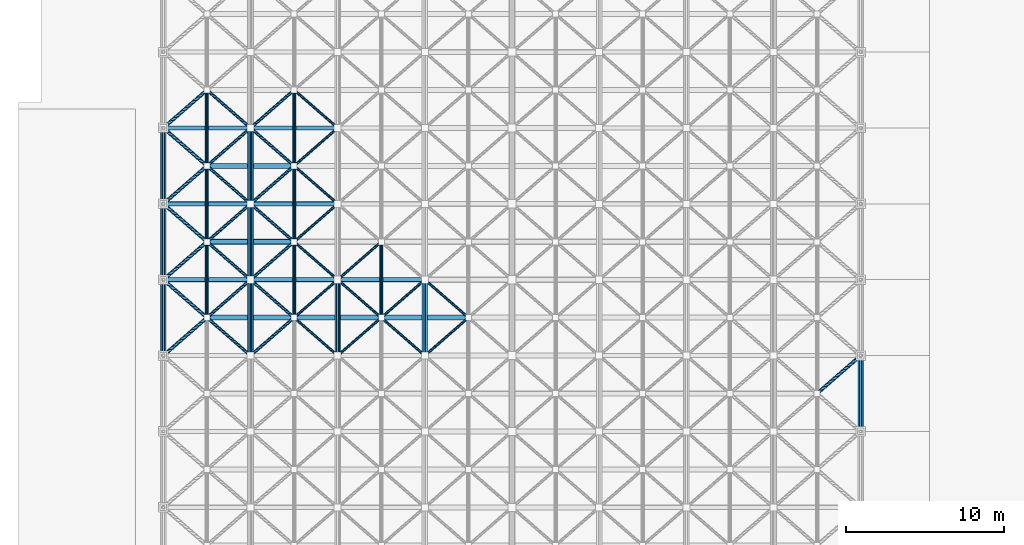
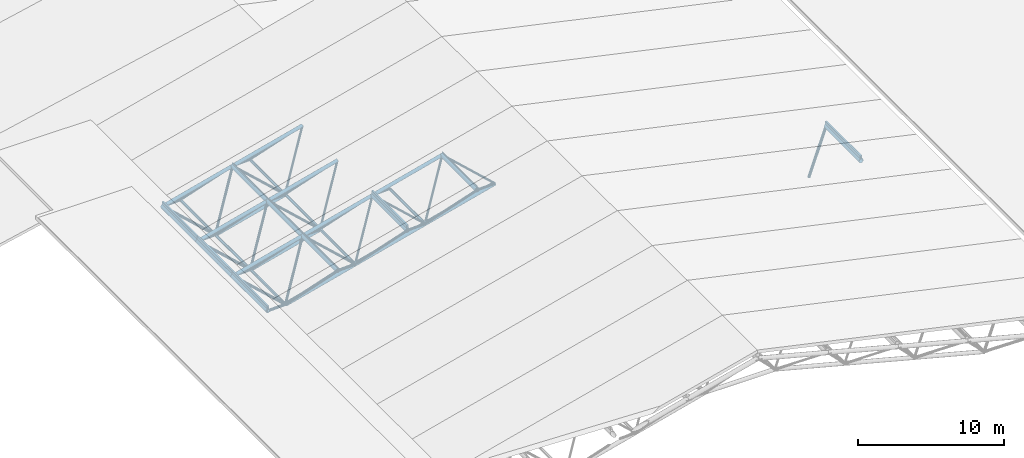
# One storey, part 7 of 60: 73 members.
"""IFC4 building model written with IfcOpenShell, lengths in metres."""

from ifc_helpers import new_model, si_unit, direction, frame, origin, origin_2d, place, context, subcontext, project, spatial, hollow_rectangle, hollow_circle, extrude, material, material_profile, profile_set, type_object, element, save


model = new_model("IFC4")

# Units and contexts
model_context = context("Model", 3, precision=1e-05, world=origin(), true_north=direction((0.0, 1.0)))
body_context = subcontext(model_context, "Body", "Model", "MODEL_VIEW")
ifc_project = project(units=[si_unit("LENGTHUNIT", "METRE"), si_unit("AREAUNIT", "SQUARE_METRE"), si_unit("VOLUMEUNIT", "CUBIC_METRE"), si_unit("PLANEANGLEUNIT", "RADIAN"), si_unit("MASSUNIT", "GRAM", prefix="KILO")], contexts=[model_context])

# Site, building, storey
site_placement = place(None, origin())
site = spatial("IfcSite", under=ifc_project, at=site_placement, CompositionType="ELEMENT")
building_placement = place(site_placement, origin())
building = spatial("IfcBuilding", under=site, at=building_placement, Name="Nakhvara Creek Congress Hotel", CompositionType="ELEMENT")
storey_placement = place(building_placement, frame((0.0, 0.0, 54.60009765625)))
storey = spatial("IfcBuildingStorey", under=building, at=storey_placement, Name="RL1", CompositionType="ELEMENT", Elevation=54.60009765625)

# Members
ifc_material = material(Name="Steel S355J2H", Category="steel")
ifc_material_profile_1 = material_profile(ifc_material, hollow_circle(Radius=0.084228515625, WallThickness=0.010009765625, at=origin_2d()), Name="CHS 168.3x10.0", Category="LoadBearing")
ifc_profile_set_1 = profile_set([ifc_material_profile_1], Name="Steel S355J2H")
member_type_1 = type_object("IfcMemberType", Name="MEM-BRC-CHS168H", PredefinedType="BRACE", material=ifc_profile_set_1)
for number, where, z_axis, x_axis, name in (
    (1, (17.418701171875, 64.800048828125, -35.489990234375), (0.558242106429, -0.486100810301, 0.672362813394), (0.656696195101, 0.754155227616, 0.0), "Congress Space Frame Web Diagonal 0487"),
    (2, (17.418701171875, 64.800048828125, -35.489990234375), (0.558255523915, 0.486063046951, 0.672378973799), (-0.656658200939, 0.754188310132, 0.0), "Congress Space Frame Web Diagonal 0489"),
):
    element("IfcMember", number, at=place(storey_placement, frame(where, z_axis=z_axis, x_axis=x_axis)), inside=storey, type_object=member_type_1, Name=name, PredefinedType="BRACE", context=body_context, shape_type="SweptSolid", body=[
        extrude(hollow_circle(Radius=0.084228515625, WallThickness=0.010009765625, at=origin_2d()), origin(), (0.0, 0.0, 1.0), 4.9375),
    ])
member_1_placement = place(storey_placement, frame((22.93115234375, 64.800048828125, -34.050048828125), z_axis=(-0.670611215194, -0.584000253041, 0.457410431127), x_axis=(0.656729278158, -0.754126418587, 0.0)))
element("IfcMember", 3, at=member_1_placement, inside=storey, type_object=member_type_1, Name="Congress Space Frame Web Diagonal 0492", PredefinedType="BRACE", context=body_context, shape_type="SweptSolid", body=[
    extrude(hollow_circle(Radius=0.084228515625, WallThickness=0.010009765625, at=origin_2d()), origin(), (0.0, 0.0, 1.0), 4.10986328125),
])
member_2_placement = place(storey_placement, frame((22.93115234375, 64.800048828125, -34.050048828125), z_axis=(0.558223547657, -0.486084649868, 0.672389904746), x_axis=(0.656696195101, 0.754155227616, 0.0)))
element("IfcMember", 4, at=member_2_placement, inside=storey, type_object=member_type_1, Name="Congress Space Frame Web Diagonal 0493", PredefinedType="BRACE", context=body_context, shape_type="SweptSolid", body=[
    extrude(hollow_circle(Radius=0.084228515625, WallThickness=0.010009765625, at=origin_2d()), origin(), (0.0, 0.0, 1.0), 4.937744140625),
])
member_3_placement = place(storey_placement, frame((22.93115234375, 64.800048828125, -34.050048828125), z_axis=(-0.670634480014, 0.583961107143, 0.457426299593), x_axis=(-0.656691284984, -0.754159503173, 0.0)))
element("IfcMember", 5, at=member_3_placement, inside=storey, type_object=member_type_1, Name="Congress Space Frame Web Diagonal 0494", PredefinedType="BRACE", context=body_context, shape_type="SweptSolid", body=[
    extrude(hollow_circle(Radius=0.084228515625, WallThickness=0.010009765625, at=origin_2d()), origin(), (0.0, 0.0, 1.0), 4.109619140625),
])
member_4_placement = place(storey_placement, frame((22.93115234375, 64.800048828125, -34.050048828125), z_axis=(0.558236963804, 0.486046886997, 0.672406064728), x_axis=(-0.656658200939, 0.754188310132, 0.0)))
element("IfcMember", 6, at=member_4_placement, inside=storey, type_object=member_type_1, Name="Congress Space Frame Web Diagonal 0495", PredefinedType="BRACE", context=body_context, shape_type="SweptSolid", body=[
    extrude(hollow_circle(Radius=0.084228515625, WallThickness=0.010009765625, at=origin_2d()), origin(), (0.0, 0.0, 1.0), 4.9375),
])
member_5_placement = place(storey_placement, frame((28.44384765625, 64.800048828125, -32.610107421875), z_axis=(-0.670625680367, -0.583961121673, 0.457439181976), x_axis=(0.656696195101, -0.754155227616, 0.0)))
element("IfcMember", 7, at=member_5_placement, inside=storey, type_object=member_type_1, Name="Congress Space Frame Web Diagonal 0498", PredefinedType="BRACE", context=body_context, shape_type="SweptSolid", body=[
    extrude(hollow_circle(Radius=0.084228515625, WallThickness=0.010009765625, at=origin_2d()), origin(), (0.0, 0.0, 1.0), 4.110107421875),
])
member_6_placement = place(storey_placement, frame((28.44384765625, 64.800048828125, -32.610107421875), z_axis=(-0.670648942571, 0.583921975684, 0.457455049313), x_axis=(-0.656658200939, -0.754188310132, 0.0)))
element("IfcMember", 8, at=member_6_placement, inside=storey, type_object=member_type_1, Name="Congress Space Frame Web Diagonal 0500", PredefinedType="BRACE", context=body_context, shape_type="SweptSolid", body=[
    extrude(hollow_circle(Radius=0.084228515625, WallThickness=0.010009765625, at=origin_2d()), origin(), (0.0, 0.0, 1.0), 4.10986328125),
])
for number, where, z_axis, x_axis, name in (
    (9, (17.418701171875, 69.60009765625, -35.489990234375), (0.558242106429, -0.486100810301, 0.672362813394), (0.656696195101, 0.754155227616, 0.0), "Congress Space Frame Web Diagonal 0534"),
    (10, (17.418701171875, 69.60009765625, -35.489990234375), (0.558255523915, 0.486063046951, 0.672378973799), (-0.656658200939, 0.754188310132, 0.0), "Congress Space Frame Web Diagonal 0536"),
):
    element("IfcMember", number, at=place(storey_placement, frame(where, z_axis=z_axis, x_axis=x_axis)), inside=storey, type_object=member_type_1, Name=name, PredefinedType="BRACE", context=body_context, shape_type="SweptSolid", body=[
        extrude(hollow_circle(Radius=0.084228515625, WallThickness=0.010009765625, at=origin_2d()), origin(), (0.0, 0.0, 1.0), 4.9375),
    ])
member_7_placement = place(storey_placement, frame((22.93115234375, 69.60009765625, -34.050048828125), z_axis=(-0.670611215194, -0.584000253041, 0.457410431127), x_axis=(0.656729278158, -0.754126418587, 0.0)))
element("IfcMember", 11, at=member_7_placement, inside=storey, type_object=member_type_1, Name="Congress Space Frame Web Diagonal 0539", PredefinedType="BRACE", context=body_context, shape_type="SweptSolid", body=[
    extrude(hollow_circle(Radius=0.084228515625, WallThickness=0.010009765625, at=origin_2d()), origin(), (0.0, 0.0, 1.0), 4.10986328125),
])
for number, where, z_axis, x_axis, name in (
    (12, (17.418701171875, 74.39990234375, -35.489990234375), (0.558255523915, -0.486063046951, 0.672378973799), (0.656658200939, 0.754188310132, 0.0), "Congress Space Frame Web Diagonal 0581"),
    (13, (17.418701171875, 74.39990234375, -35.489990234375), (0.558242106429, 0.486100810301, 0.672362813394), (-0.656696195101, 0.754155227616, 0.0), "Congress Space Frame Web Diagonal 0583"),
    (14, (17.418701171875, 79.199951171875, -35.489990234375), (0.558255523915, -0.486063046951, 0.672378973799), (0.656658200939, 0.754188310132, 0.0), "Congress Space Frame Web Diagonal 0628"),
):
    element("IfcMember", number, at=place(storey_placement, frame(where, z_axis=z_axis, x_axis=x_axis)), inside=storey, type_object=member_type_1, Name=name, PredefinedType="BRACE", context=body_context, shape_type="SweptSolid", body=[
        extrude(hollow_circle(Radius=0.084228515625, WallThickness=0.010009765625, at=origin_2d()), origin(), (0.0, 0.0, 1.0), 4.9375),
    ])
ifc_material_profile_2 = material_profile(ifc_material, hollow_circle(Radius=0.096923828125, WallThickness=0.010009765625, at=origin_2d()), Name="CHS 193.7x10.0", Category="LoadBearing")
ifc_profile_set_2 = profile_set([ifc_material_profile_2], Name="Steel S355J2H")
member_type_2 = type_object("IfcMemberType", Name="MEM-BRC-CHS193", PredefinedType="BRACE", material=ifc_profile_set_2)
member_8_placement = place(storey_placement, frame((11.90625, 64.800048828125, -36.93017578125), z_axis=(0.558223547657, -0.486084649868, 0.672389904746), x_axis=(0.656696195101, 0.754155227616, 0.0)))
element("IfcMember", 15, at=member_8_placement, inside=storey, type_object=member_type_2, Name="Congress Space Frame Web Diagonal 0481", PredefinedType="BRACE", context=body_context, shape_type="SweptSolid", body=[
    extrude(hollow_circle(Radius=0.096923828125, WallThickness=0.010009765625, at=origin_2d()), origin(), (0.0, 0.0, 1.0), 4.937744140625),
])
member_9_placement = place(storey_placement, frame((11.90625, 64.800048828125, -36.93017578125), z_axis=(0.558236963804, 0.486046886997, 0.672406064728), x_axis=(-0.656658200939, 0.754188310132, 0.0)))
element("IfcMember", 16, at=member_9_placement, inside=storey, type_object=member_type_2, Name="Congress Space Frame Web Diagonal 0483", PredefinedType="BRACE", context=body_context, shape_type="SweptSolid", body=[
    extrude(hollow_circle(Radius=0.096923828125, WallThickness=0.010009765625, at=origin_2d()), origin(), (0.0, 0.0, 1.0), 4.9375),
])
member_10_placement = place(storey_placement, frame((17.418701171875, 64.800048828125, -35.489990234375), z_axis=(-0.670611215194, -0.584000253041, 0.457410431127), x_axis=(0.656729278158, -0.754126418587, 0.0)))
element("IfcMember", 17, at=member_10_placement, inside=storey, type_object=member_type_2, Name="Congress Space Frame Web Diagonal 0486", PredefinedType="BRACE", context=body_context, shape_type="SweptSolid", body=[
    extrude(hollow_circle(Radius=0.096923828125, WallThickness=0.010009765625, at=origin_2d()), origin(), (0.0, 0.0, 1.0), 4.10986328125),
])
member_11_placement = place(storey_placement, frame((17.418701171875, 64.800048828125, -35.489990234375), z_axis=(-0.670634480014, 0.583961107143, 0.457426299593), x_axis=(-0.656691284984, -0.754159503173, 0.0)))
element("IfcMember", 18, at=member_11_placement, inside=storey, type_object=member_type_2, Name="Congress Space Frame Web Diagonal 0488", PredefinedType="BRACE", context=body_context, shape_type="SweptSolid", body=[
    extrude(hollow_circle(Radius=0.096923828125, WallThickness=0.010009765625, at=origin_2d()), origin(), (0.0, 0.0, 1.0), 4.109619140625),
])
member_12_placement = place(storey_placement, frame((11.90625, 69.60009765625, -36.93017578125), z_axis=(0.558223547657, -0.486084649868, 0.672389904746), x_axis=(0.656696195101, 0.754155227616, 0.0)))
element("IfcMember", 19, at=member_12_placement, inside=storey, type_object=member_type_2, Name="Congress Space Frame Web Diagonal 0528", PredefinedType="BRACE", context=body_context, shape_type="SweptSolid", body=[
    extrude(hollow_circle(Radius=0.096923828125, WallThickness=0.010009765625, at=origin_2d()), origin(), (0.0, 0.0, 1.0), 4.937744140625),
])
member_13_placement = place(storey_placement, frame((11.90625, 69.60009765625, -36.93017578125), z_axis=(0.558236963804, 0.486046886997, 0.672406064728), x_axis=(-0.656658200939, 0.754188310132, 0.0)))
element("IfcMember", 20, at=member_13_placement, inside=storey, type_object=member_type_2, Name="Congress Space Frame Web Diagonal 0530", PredefinedType="BRACE", context=body_context, shape_type="SweptSolid", body=[
    extrude(hollow_circle(Radius=0.096923828125, WallThickness=0.010009765625, at=origin_2d()), origin(), (0.0, 0.0, 1.0), 4.9375),
])
member_14_placement = place(storey_placement, frame((17.418701171875, 69.60009765625, -35.489990234375), z_axis=(-0.670611215194, -0.584000253041, 0.457410431127), x_axis=(0.656729278158, -0.754126418587, 0.0)))
element("IfcMember", 21, at=member_14_placement, inside=storey, type_object=member_type_2, Name="Congress Space Frame Web Diagonal 0533", PredefinedType="BRACE", context=body_context, shape_type="SweptSolid", body=[
    extrude(hollow_circle(Radius=0.096923828125, WallThickness=0.010009765625, at=origin_2d()), origin(), (0.0, 0.0, 1.0), 4.10986328125),
])
member_15_placement = place(storey_placement, frame((17.418701171875, 69.60009765625, -35.489990234375), z_axis=(-0.670634480014, 0.583961107143, 0.457426299593), x_axis=(-0.656691284984, -0.754159503173, 0.0)))
element("IfcMember", 22, at=member_15_placement, inside=storey, type_object=member_type_2, Name="Congress Space Frame Web Diagonal 0535", PredefinedType="BRACE", context=body_context, shape_type="SweptSolid", body=[
    extrude(hollow_circle(Radius=0.096923828125, WallThickness=0.010009765625, at=origin_2d()), origin(), (0.0, 0.0, 1.0), 4.109619140625),
])
member_16_placement = place(storey_placement, frame((11.90625, 74.39990234375, -36.93017578125), z_axis=(0.558236963804, -0.486046886997, 0.672406064728), x_axis=(0.656658200939, 0.754188310132, 0.0)))
element("IfcMember", 23, at=member_16_placement, inside=storey, type_object=member_type_2, Name="Congress Space Frame Web Diagonal 0575", PredefinedType="BRACE", context=body_context, shape_type="SweptSolid", body=[
    extrude(hollow_circle(Radius=0.096923828125, WallThickness=0.010009765625, at=origin_2d()), origin(), (0.0, 0.0, 1.0), 4.9375),
])
member_17_placement = place(storey_placement, frame((11.90625, 74.39990234375, -36.93017578125), z_axis=(0.558223547657, 0.486084649868, 0.672389904746), x_axis=(-0.656696195101, 0.754155227616, 0.0)))
element("IfcMember", 24, at=member_17_placement, inside=storey, type_object=member_type_2, Name="Congress Space Frame Web Diagonal 0577", PredefinedType="BRACE", context=body_context, shape_type="SweptSolid", body=[
    extrude(hollow_circle(Radius=0.096923828125, WallThickness=0.010009765625, at=origin_2d()), origin(), (0.0, 0.0, 1.0), 4.937744140625),
])
member_18_placement = place(storey_placement, frame((17.418701171875, 74.39990234375, -35.489990234375), z_axis=(-0.670634480014, -0.583961107143, 0.457426299593), x_axis=(0.656691284984, -0.754159503173, 0.0)))
element("IfcMember", 25, at=member_18_placement, inside=storey, type_object=member_type_2, Name="Congress Space Frame Web Diagonal 0580", PredefinedType="BRACE", context=body_context, shape_type="SweptSolid", body=[
    extrude(hollow_circle(Radius=0.096923828125, WallThickness=0.010009765625, at=origin_2d()), origin(), (0.0, 0.0, 1.0), 4.109619140625),
])
member_19_placement = place(storey_placement, frame((17.418701171875, 74.39990234375, -35.489990234375), z_axis=(-0.670611215194, 0.584000253041, 0.457410431127), x_axis=(-0.656729278158, -0.754126418587, 0.0)))
element("IfcMember", 26, at=member_19_placement, inside=storey, type_object=member_type_2, Name="Congress Space Frame Web Diagonal 0582", PredefinedType="BRACE", context=body_context, shape_type="SweptSolid", body=[
    extrude(hollow_circle(Radius=0.096923828125, WallThickness=0.010009765625, at=origin_2d()), origin(), (0.0, 0.0, 1.0), 4.10986328125),
])
member_20_placement = place(storey_placement, frame((11.90625, 79.199951171875, -36.93017578125), z_axis=(0.558236963804, -0.486046886997, 0.672406064728), x_axis=(0.656658200939, 0.754188310132, 0.0)))
element("IfcMember", 27, at=member_20_placement, inside=storey, type_object=member_type_2, Name="Congress Space Frame Web Diagonal 0622", PredefinedType="BRACE", context=body_context, shape_type="SweptSolid", body=[
    extrude(hollow_circle(Radius=0.096923828125, WallThickness=0.010009765625, at=origin_2d()), origin(), (0.0, 0.0, 1.0), 4.9375),
])
member_21_placement = place(storey_placement, frame((17.418701171875, 79.199951171875, -35.489990234375), z_axis=(-0.670634480014, -0.583961107143, 0.457426299593), x_axis=(0.656691284984, -0.754159503173, 0.0)))
element("IfcMember", 28, at=member_21_placement, inside=storey, type_object=member_type_2, Name="Congress Space Frame Web Diagonal 0627", PredefinedType="BRACE", context=body_context, shape_type="SweptSolid", body=[
    extrude(hollow_circle(Radius=0.096923828125, WallThickness=0.010009765625, at=origin_2d()), origin(), (0.0, 0.0, 1.0), 4.109619140625),
])
ifc_material_profile_3 = material_profile(ifc_material, hollow_circle(Radius=0.109619140625, WallThickness=0.010009765625, at=origin_2d()), Name="CHS 219.1x10.0", Category="LoadBearing")
ifc_profile_set_3 = profile_set([ifc_material_profile_3], Name="Steel S355J2H")
member_type_3 = type_object("IfcMemberType", Name="MEM-BRC-CHS219", PredefinedType="BRACE", material=ifc_profile_set_3)
member_22_placement = place(storey_placement, frame((50.49365234375, 60.0, -36.93017578125), z_axis=(0.670648942571, 0.583921975684, 0.457455049313), x_axis=(-0.656658200939, 0.754188310132, 0.0)))
element("IfcMember", 29, at=member_22_placement, inside=storey, type_object=member_type_3, Name="Congress Space Frame Web Diagonal 0477", PredefinedType="BRACE", context=body_context, shape_type="SweptSolid", body=[
    extrude(hollow_circle(Radius=0.109619140625, WallThickness=0.010009765625, at=origin_2d()), origin(), (0.0, 0.0, 1.0), 4.10986328125),
])
member_23_placement = place(storey_placement, frame((11.90625, 64.800048828125, -36.93017578125), z_axis=(-0.670625680367, -0.583961121673, 0.457439181976), x_axis=(0.656696195101, -0.754155227616, 0.0)))
element("IfcMember", 30, at=member_23_placement, inside=storey, type_object=member_type_3, Name="Congress Space Frame Web Diagonal 0480", PredefinedType="BRACE", context=body_context, shape_type="SweptSolid", body=[
    extrude(hollow_circle(Radius=0.109619140625, WallThickness=0.010009765625, at=origin_2d()), origin(), (0.0, 0.0, 1.0), 4.110107421875),
])
member_24_placement = place(storey_placement, frame((11.90625, 64.800048828125, -36.93017578125), z_axis=(-0.670648942571, 0.583921975684, 0.457455049313), x_axis=(-0.656658200939, -0.754188310132, 0.0)))
element("IfcMember", 31, at=member_24_placement, inside=storey, type_object=member_type_3, Name="Congress Space Frame Web Diagonal 0482", PredefinedType="BRACE", context=body_context, shape_type="SweptSolid", body=[
    extrude(hollow_circle(Radius=0.109619140625, WallThickness=0.010009765625, at=origin_2d()), origin(), (0.0, 0.0, 1.0), 4.10986328125),
])
member_25_placement = place(storey_placement, frame((11.90625, 69.60009765625, -36.93017578125), z_axis=(-0.670625680367, -0.583961121673, 0.457439181976), x_axis=(0.656696195101, -0.754155227616, 0.0)))
element("IfcMember", 32, at=member_25_placement, inside=storey, type_object=member_type_3, Name="Congress Space Frame Web Diagonal 0527", PredefinedType="BRACE", context=body_context, shape_type="SweptSolid", body=[
    extrude(hollow_circle(Radius=0.109619140625, WallThickness=0.010009765625, at=origin_2d()), origin(), (0.0, 0.0, 1.0), 4.110107421875),
])
for number, where, z_axis, x_axis, name in (
    (33, (11.90625, 69.60009765625, -36.93017578125), (-0.670648942571, 0.583921975684, 0.457455049313), (-0.656658200939, -0.754188310132, 0.0), "Congress Space Frame Web Diagonal 0529"),
    (34, (11.90625, 74.39990234375, -36.93017578125), (-0.670648942571, -0.583921975684, 0.457455049313), (0.656658200939, -0.754188310132, 0.0), "Congress Space Frame Web Diagonal 0574"),
):
    element("IfcMember", number, at=place(storey_placement, frame(where, z_axis=z_axis, x_axis=x_axis)), inside=storey, type_object=member_type_3, Name=name, PredefinedType="BRACE", context=body_context, shape_type="SweptSolid", body=[
        extrude(hollow_circle(Radius=0.109619140625, WallThickness=0.010009765625, at=origin_2d()), origin(), (0.0, 0.0, 1.0), 4.10986328125),
    ])
member_26_placement = place(storey_placement, frame((11.90625, 74.39990234375, -36.93017578125), z_axis=(-0.670625680367, 0.583961121673, 0.457439181976), x_axis=(-0.656696195101, -0.754155227616, 0.0)))
element("IfcMember", 35, at=member_26_placement, inside=storey, type_object=member_type_3, Name="Congress Space Frame Web Diagonal 0576", PredefinedType="BRACE", context=body_context, shape_type="SweptSolid", body=[
    extrude(hollow_circle(Radius=0.109619140625, WallThickness=0.010009765625, at=origin_2d()), origin(), (0.0, 0.0, 1.0), 4.110107421875),
])
member_27_placement = place(storey_placement, frame((11.90625, 79.199951171875, -36.93017578125), z_axis=(-0.670648942571, -0.583921975684, 0.457455049313), x_axis=(0.656658200939, -0.754188310132, 0.0)))
element("IfcMember", 36, at=member_27_placement, inside=storey, type_object=member_type_3, Name="Congress Space Frame Web Diagonal 0621", PredefinedType="BRACE", context=body_context, shape_type="SweptSolid", body=[
    extrude(hollow_circle(Radius=0.109619140625, WallThickness=0.010009765625, at=origin_2d()), origin(), (0.0, 0.0, 1.0), 4.10986328125),
])
ifc_material_profile_4 = material_profile(ifc_material, hollow_circle(Radius=0.109619140625, WallThickness=0.012451171875, at=origin_2d()), Name="CHS 219.1x12.5", Category="LoadBearing")
ifc_profile_set_4 = profile_set([ifc_material_profile_4], Name="Steel S355J2H")
member_type_4 = type_object("IfcMemberType", Name="MEM-CHD-CHS219H", PredefinedType="CHORD", material=ifc_profile_set_4)
for number, where, z_axis, x_axis, name in (
    (37, (11.90625, 64.800048828125, -36.93017578125), (0.0, 1.0, 0.0), (-1.0, 0.0, 0.0), "Congress Roof Truss Bottom Tie 0479"),
    (38, (17.418701171875, 64.800048828125, -35.489990234375), (0.0, 1.0, 0.0), (-1.0, 0.0, 0.0), "Congress Roof Truss Bottom Tie 0485"),
    (39, (22.93115234375, 64.800048828125, -34.050048828125), (0.0, 1.0, 0.0), (-1.0, 0.0, 0.0), "Congress Roof Truss Bottom Tie 0491"),
):
    element("IfcMember", number, at=place(storey_placement, frame(where, z_axis=z_axis, x_axis=x_axis)), inside=storey, type_object=member_type_4, Name=name, PredefinedType="CHORD", context=body_context, shape_type="SweptSolid", body=[
        extrude(hollow_circle(Radius=0.109619140625, WallThickness=0.012451171875, at=origin_2d()), origin(), (0.0, 0.0, 1.0), 4.800048828125),
    ])
for number, where, z_axis, x_axis, name in (
    (40, (11.90625, 69.60009765625, -36.93017578125), (0.0, 1.0, 0.0), (-1.0, 0.0, 0.0), "Congress Roof Truss Bottom Tie 0526"),
    (41, (17.418701171875, 69.60009765625, -35.489990234375), (0.0, 1.0, 0.0), (-1.0, 0.0, 0.0), "Congress Roof Truss Bottom Tie 0532"),
):
    element("IfcMember", number, at=place(storey_placement, frame(where, z_axis=z_axis, x_axis=x_axis)), inside=storey, type_object=member_type_4, Name=name, PredefinedType="CHORD", context=body_context, shape_type="SweptSolid", body=[
        extrude(hollow_circle(Radius=0.109619140625, WallThickness=0.012451171875, at=origin_2d()), origin(), (0.0, 0.0, 1.0), 4.7998046875),
    ])
for number, where, z_axis, x_axis, name in (
    (42, (11.90625, 74.39990234375, -36.93017578125), (0.0, 1.0, 0.0), (-1.0, 0.0, 0.0), "Congress Roof Truss Bottom Tie 0573"),
    (43, (17.418701171875, 74.39990234375, -35.489990234375), (0.0, 1.0, 0.0), (-1.0, 0.0, 0.0), "Congress Roof Truss Bottom Tie 0579"),
):
    element("IfcMember", number, at=place(storey_placement, frame(where, z_axis=z_axis, x_axis=x_axis)), inside=storey, type_object=member_type_4, Name=name, PredefinedType="CHORD", context=body_context, shape_type="SweptSolid", body=[
        extrude(hollow_circle(Radius=0.109619140625, WallThickness=0.012451171875, at=origin_2d()), origin(), (0.0, 0.0, 1.0), 4.800048828125),
    ])
ifc_material_profile_5 = material_profile(ifc_material, hollow_circle(Radius=0.136474609375, WallThickness=0.01611328125, at=origin_2d()), Name="CHS 273.0x16.0", Category="LoadBearing")
ifc_profile_set_5 = profile_set([ifc_material_profile_5], Name="Steel S355J2H")
member_type_5 = type_object("IfcMemberType", Name="MEM-CHD-CHS273H", PredefinedType="CHORD", material=ifc_profile_set_5)
member_28_placement = place(storey_placement, frame((9.14990234375, 67.199951171875, -35.050048828125), z_axis=(0.967538048321, 0.0, 0.252725394553), x_axis=(0.0, 1.0, 0.0)))
element("IfcMember", 44, at=member_28_placement, inside=storey, type_object=member_type_5, Name="Congress Space Frame Top Chord 0120", PredefinedType="CHORD", context=body_context, shape_type="SweptSolid", body=[
    extrude(hollow_circle(Radius=0.136474609375, WallThickness=0.01611328125, at=origin_2d()), origin(), (0.0, 0.0, 1.0), 5.69775390625),
])
for number, where, z_axis, x_axis, name in (
    (45, (14.66259765625, 67.199951171875, -33.610107421875), (0.967535311358, 0.0, 0.252735872554), (0.0, 1.0, 0.0), "Congress Space Frame Top Chord 0122"),
    (46, (20.175048828125, 67.199951171875, -32.170166015625), (0.967524832219, 0.0, 0.252775985883), (0.0, 1.0, 0.0), "Congress Space Frame Top Chord 0124"),
):
    element("IfcMember", number, at=place(storey_placement, frame(where, z_axis=z_axis, x_axis=x_axis)), inside=storey, type_object=member_type_5, Name=name, PredefinedType="CHORD", context=body_context, shape_type="SweptSolid", body=[
        extrude(hollow_circle(Radius=0.136474609375, WallThickness=0.01611328125, at=origin_2d()), origin(), (0.0, 0.0, 1.0), 5.697509765625),
    ])
member_29_placement = place(storey_placement, frame((9.14990234375, 72.0, -35.050048828125), z_axis=(0.967538048321, 0.0, 0.252725394553), x_axis=(0.0, 1.0, 0.0)))
element("IfcMember", 47, at=member_29_placement, inside=storey, type_object=member_type_5, Name="Congress Space Frame Top Chord 0137", PredefinedType="CHORD", context=body_context, shape_type="SweptSolid", body=[
    extrude(hollow_circle(Radius=0.136474609375, WallThickness=0.01611328125, at=origin_2d()), origin(), (0.0, 0.0, 1.0), 5.69775390625),
])
member_30_placement = place(storey_placement, frame((14.66259765625, 72.0, -33.610107421875), z_axis=(0.967535311358, 0.0, 0.252735872554), x_axis=(0.0, 1.0, 0.0)))
element("IfcMember", 48, at=member_30_placement, inside=storey, type_object=member_type_5, Name="Congress Space Frame Top Chord 0139", PredefinedType="CHORD", context=body_context, shape_type="SweptSolid", body=[
    extrude(hollow_circle(Radius=0.136474609375, WallThickness=0.01611328125, at=origin_2d()), origin(), (0.0, 0.0, 1.0), 5.697509765625),
])
member_31_placement = place(storey_placement, frame((9.14990234375, 76.800048828125, -35.050048828125), z_axis=(0.967538048321, 0.0, 0.252725394553), x_axis=(0.0, 1.0, 0.0)))
element("IfcMember", 49, at=member_31_placement, inside=storey, type_object=member_type_5, Name="Congress Space Frame Top Chord 0154", PredefinedType="CHORD", context=body_context, shape_type="SweptSolid", body=[
    extrude(hollow_circle(Radius=0.136474609375, WallThickness=0.01611328125, at=origin_2d()), origin(), (0.0, 0.0, 1.0), 5.69775390625),
])
member_32_placement = place(storey_placement, frame((14.66259765625, 76.800048828125, -33.610107421875), z_axis=(0.967535311358, 0.0, 0.252735872554), x_axis=(0.0, 1.0, 0.0)))
element("IfcMember", 50, at=member_32_placement, inside=storey, type_object=member_type_5, Name="Congress Space Frame Top Chord 0156", PredefinedType="CHORD", context=body_context, shape_type="SweptSolid", body=[
    extrude(hollow_circle(Radius=0.136474609375, WallThickness=0.01611328125, at=origin_2d()), origin(), (0.0, 0.0, 1.0), 5.697509765625),
])
ifc_material_profile_6 = material_profile(ifc_material, hollow_circle(Radius=0.161865234375, WallThickness=0.012451171875, at=origin_2d()), Name="CHS 323.9x12.5", Category="LoadBearing")
ifc_profile_set_6 = profile_set([ifc_material_profile_6], Name="Steel S355J2H")
member_type_6 = type_object("IfcMemberType", Name="MEM-CHD-CHS324", PredefinedType="CHORD", material=ifc_profile_set_6)
for number, where, z_axis, x_axis, name in (
    (51, (11.90625, 64.800048828125, -36.93017578125), (0.967524832219, 0.0, 0.252775985883), (0.0, 1.0, 0.0), "Congress Space Frame Bottom Chord 0478"),
    (52, (17.418701171875, 64.800048828125, -35.489990234375), (0.967535311358, 0.0, 0.252735872554), (0.0, 1.0, 0.0), "Congress Space Frame Bottom Chord 0484"),
):
    element("IfcMember", number, at=place(storey_placement, frame(where, z_axis=z_axis, x_axis=x_axis)), inside=storey, type_object=member_type_6, Name=name, PredefinedType="CHORD", context=body_context, shape_type="SweptSolid", body=[
        extrude(hollow_circle(Radius=0.161865234375, WallThickness=0.012451171875, at=origin_2d()), origin(), (0.0, 0.0, 1.0), 5.697509765625),
    ])
member_33_placement = place(storey_placement, frame((22.93115234375, 64.800048828125, -34.050048828125), z_axis=(0.967538048321, 0.0, 0.252725394553), x_axis=(0.0, 1.0, 0.0)))
element("IfcMember", 53, at=member_33_placement, inside=storey, type_object=member_type_6, Name="Congress Space Frame Bottom Chord 0490", PredefinedType="CHORD", context=body_context, shape_type="SweptSolid", body=[
    extrude(hollow_circle(Radius=0.161865234375, WallThickness=0.012451171875, at=origin_2d()), origin(), (0.0, 0.0, 1.0), 5.69775390625),
])
for number, where, z_axis, x_axis, name in (
    (54, (11.90625, 69.60009765625, -36.93017578125), (0.967524832219, 0.0, 0.252775985883), (0.0, 1.0, 0.0), "Congress Space Frame Bottom Chord 0525"),
    (55, (11.90625, 74.39990234375, -36.93017578125), (0.967524832219, 0.0, 0.252775985883), (0.0, 1.0, 0.0), "Congress Space Frame Bottom Chord 0572"),
):
    element("IfcMember", number, at=place(storey_placement, frame(where, z_axis=z_axis, x_axis=x_axis)), inside=storey, type_object=member_type_6, Name=name, PredefinedType="CHORD", context=body_context, shape_type="SweptSolid", body=[
        extrude(hollow_circle(Radius=0.161865234375, WallThickness=0.012451171875, at=origin_2d()), origin(), (0.0, 0.0, 1.0), 5.697509765625),
    ])
ifc_material_profile_7 = material_profile(ifc_material, hollow_circle(Radius=0.177734375, WallThickness=0.01611328125, at=origin_2d()), Name="CHS 355.6x16.0", Category="LoadBearing")
ifc_profile_set_7 = profile_set([ifc_material_profile_7], Name="Steel S355J2H")
member_type_7 = type_object("IfcMemberType", Name="MEM-CHD-CHS355", PredefinedType="CHORD", material=ifc_profile_set_7)
member_34_placement = place(storey_placement, frame((53.25, 57.60009765625, -35.050048828125), z_axis=(0.0, 1.0, 0.0), x_axis=(-1.0, 0.0, 0.0)))
element("IfcMember", 56, at=member_34_placement, inside=storey, type_object=member_type_7, Name="Congress Roof Truss Longitudinal Chord 0102", PredefinedType="CHORD", context=body_context, shape_type="SweptSolid", body=[
    extrude(hollow_circle(Radius=0.177734375, WallThickness=0.01611328125, at=origin_2d()), origin(), (0.0, 0.0, 1.0), 4.7998046875),
])
for number, where, z_axis, x_axis, name in (
    (57, (9.14990234375, 62.39990234375, -35.050048828125), (0.0, 1.0, 0.0), (-1.0, 0.0, 0.0), "Congress Roof Truss Longitudinal Chord 0104"),
    (58, (14.66259765625, 62.39990234375, -33.610107421875), (0.0, 1.0, 0.0), (-1.0, 0.0, 0.0), "Congress Roof Truss Longitudinal Chord 0106"),
    (59, (20.175048828125, 62.39990234375, -32.170166015625), (0.0, 1.0, 0.0), (-1.0, 0.0, 0.0), "Congress Roof Truss Longitudinal Chord 0108"),
    (60, (25.6875, 62.39990234375, -30.72998046875), (0.0, 1.0, 0.0), (-1.0, 0.0, 0.0), "Congress Roof Truss Longitudinal Chord 0110"),
    (61, (9.14990234375, 67.199951171875, -35.050048828125), (0.0, 1.0, 0.0), (-1.0, 0.0, 0.0), "Congress Roof Truss Longitudinal Chord 0121"),
    (62, (14.66259765625, 67.199951171875, -33.610107421875), (0.0, 1.0, 0.0), (-1.0, 0.0, 0.0), "Congress Roof Truss Longitudinal Chord 0123"),
    (63, (9.14990234375, 72.0, -35.050048828125), (0.0, 1.0, 0.0), (-1.0, 0.0, 0.0), "Congress Roof Truss Longitudinal Chord 0138"),
    (64, (14.66259765625, 72.0, -33.610107421875), (0.0, 1.0, 0.0), (-1.0, 0.0, 0.0), "Congress Roof Truss Longitudinal Chord 0140"),
):
    element("IfcMember", number, at=place(storey_placement, frame(where, z_axis=z_axis, x_axis=x_axis)), inside=storey, type_object=member_type_7, Name=name, PredefinedType="CHORD", context=body_context, shape_type="SweptSolid", body=[
        extrude(hollow_circle(Radius=0.177734375, WallThickness=0.01611328125, at=origin_2d()), origin(), (0.0, 0.0, 1.0), 4.800048828125),
    ])
ifc_material_profile_8 = material_profile(ifc_material, hollow_rectangle(XDim=0.06005859375, YDim=0.1201171875, WallThickness=0.0048828125, InnerFilletRadius=0.0048828125, OuterFilletRadius=0.010009765625, at=origin_2d()), Name="RHS 120x60x5.0", Category="LoadBearing")
ifc_profile_set_8 = profile_set([ifc_material_profile_8], Name="Steel S355J2H")
member_type_8 = type_object("IfcMemberType", Name="MEM-PUR-RHS120", PredefinedType="PURLIN", material=ifc_profile_set_8)
for number, where, z_axis, x_axis, name in (
    (65, (14.66259765625, 62.39990234375, -33.378173828125), (0.0, 1.0, 0.0), (-1.0, 0.0, 0.0), "Congress Roof Purlin 018"),
    (66, (14.66259765625, 67.199951171875, -33.378173828125), (0.0, 1.0, 0.0), (-1.0, 0.0, 0.0), "Congress Roof Purlin 019"),
    (67, (14.66259765625, 72.0, -33.378173828125), (0.0, 1.0, 0.0), (-1.0, 0.0, 0.0), "Congress Roof Purlin 020"),
    (68, (25.6875, 62.39990234375, -30.498046875), (0.0, 1.0, 0.0), (-1.0, 0.0, 0.0), "Congress Roof Purlin 040"),
):
    element("IfcMember", number, at=place(storey_placement, frame(where, z_axis=z_axis, x_axis=x_axis)), inside=storey, type_object=member_type_8, Name=name, PredefinedType="PURLIN", context=body_context, shape_type="SweptSolid", body=[
        extrude(hollow_rectangle(XDim=0.06005859375, YDim=0.1201171875, WallThickness=0.0048828125, InnerFilletRadius=0.0048828125, OuterFilletRadius=0.010009765625, at=origin_2d()), origin(), (0.0, 0.0, 1.0), 4.800048828125),
    ])
ifc_material_profile_9 = material_profile(ifc_material, hollow_rectangle(XDim=0.14990234375, YDim=0.25, WallThickness=0.010009765625, InnerFilletRadius=0.010009765625, OuterFilletRadius=0.02001953125, at=origin_2d()), Name="RHS 250x150x10.0", Category="LoadBearing")
ifc_profile_set_9 = profile_set([ifc_material_profile_9], Name="Steel S355J2H")
member_type_9 = type_object("IfcMemberType", Name="MEM-PUR-RHS250", PredefinedType="PURLIN", material=ifc_profile_set_9)
for number, where, z_axis, x_axis, name in (
    (69, (9.14990234375, 62.39990234375, -34.753173828125), (0.0, 1.0, 0.0), (-1.0, 0.0, 0.0), "Congress Roof Purlin 007"),
    (70, (9.14990234375, 67.199951171875, -34.753173828125), (0.0, 1.0, 0.0), (-1.0, 0.0, 0.0), "Congress Roof Purlin 008"),
    (71, (9.14990234375, 72.0, -34.753173828125), (0.0, 1.0, 0.0), (-1.0, 0.0, 0.0), "Congress Roof Purlin 009"),
    (72, (20.175048828125, 62.39990234375, -31.873046875), (0.0, 1.0, 0.0), (-1.0, 0.0, 0.0), "Congress Roof Purlin 029"),
):
    element("IfcMember", number, at=place(storey_placement, frame(where, z_axis=z_axis, x_axis=x_axis)), inside=storey, type_object=member_type_9, Name=name, PredefinedType="PURLIN", context=body_context, shape_type="SweptSolid", body=[
        extrude(hollow_rectangle(XDim=0.14990234375, YDim=0.25, WallThickness=0.010009765625, InnerFilletRadius=0.010009765625, OuterFilletRadius=0.02001953125, at=origin_2d()), origin(), (0.0, 0.0, 1.0), 4.800048828125),
    ])
member_35_placement = place(storey_placement, frame((53.25, 57.60009765625, -34.753173828125), z_axis=(0.0, 1.0, 0.0), x_axis=(-1.0, 0.0, 0.0)))
element("IfcMember", 73, at=member_35_placement, inside=storey, type_object=member_type_9, Name="Congress Roof Purlin 094", PredefinedType="PURLIN", context=body_context, shape_type="SweptSolid", body=[
    extrude(hollow_rectangle(XDim=0.14990234375, YDim=0.25, WallThickness=0.010009765625, InnerFilletRadius=0.010009765625, OuterFilletRadius=0.02001953125, at=origin_2d()), origin(), (0.0, 0.0, 1.0), 4.7998046875),
])

save(model, "model.ifc")
